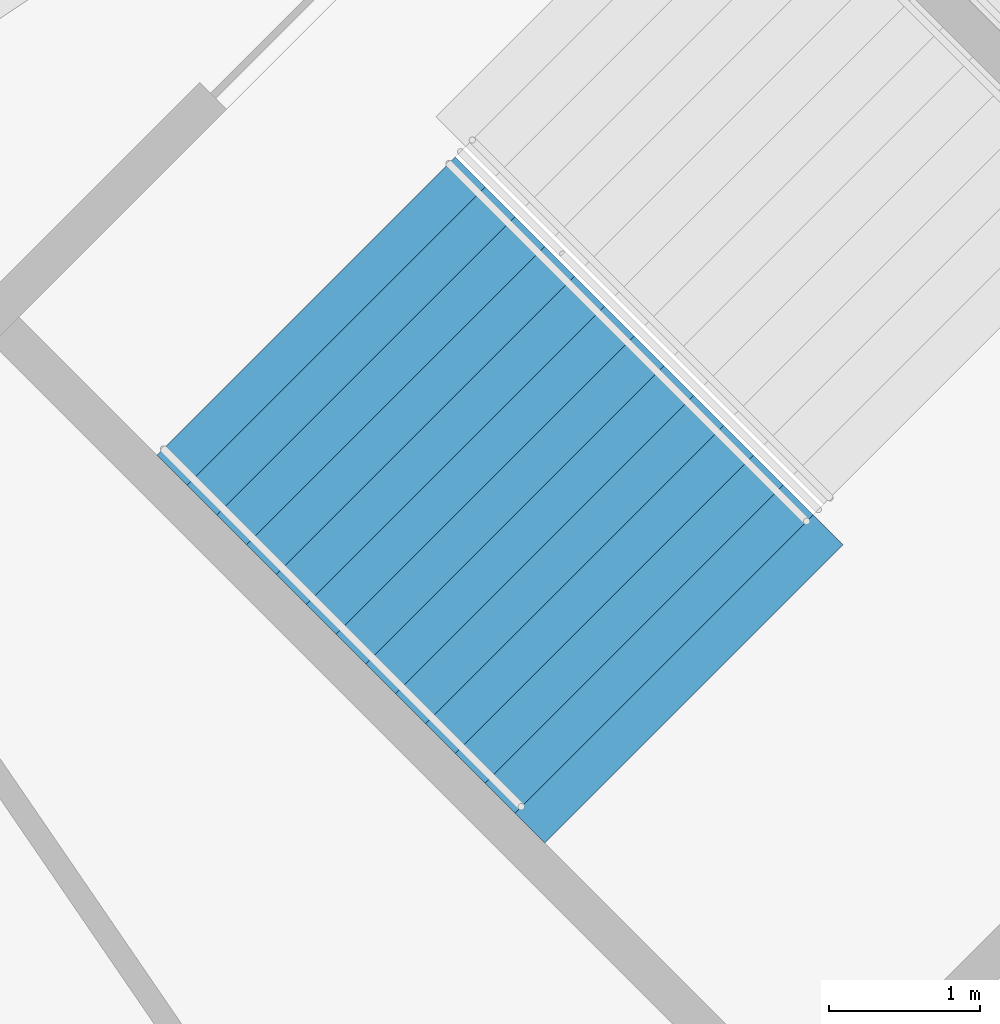
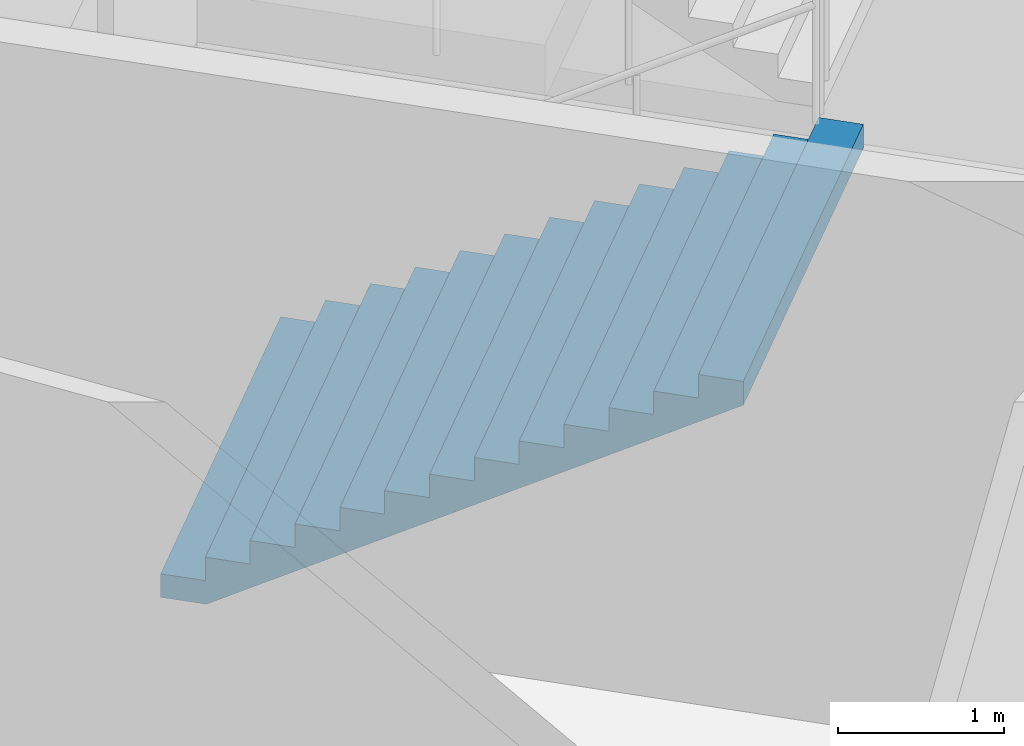
# One storey, part 137 of 199: 1 stair flight, 1 element without a shape of its own.
"""IFC4 building model written with IfcOpenShell, lengths in metres."""

from ifc_helpers import new_model, si_unit, direction, frame, origin, place, context, subcontext, project, spatial, faceted_brep, material, type_object, element, aggregate, save


model = new_model("IFC4")

# Units and contexts
model_context = context("Model", 3, precision=1e-05, world=origin(), true_north=direction((0.0, 1.0)))
body_context = subcontext(model_context, "Body", "Model", "MODEL_VIEW")
ifc_project = project(units=[si_unit("LENGTHUNIT", "METRE"), si_unit("AREAUNIT", "SQUARE_METRE"), si_unit("VOLUMEUNIT", "CUBIC_METRE"), si_unit("PLANEANGLEUNIT", "RADIAN"), si_unit("MASSUNIT", "GRAM", prefix="KILO")], contexts=[model_context])

# Site, building, storey
site_placement = place(None, origin())
site = spatial("IfcSite", under=ifc_project, at=site_placement, CompositionType="ELEMENT")
building_placement = place(site_placement, origin())
building = spatial("IfcBuilding", under=site, at=building_placement, Name="Ogive Plaza Stadium", CompositionType="ELEMENT")
storey_placement = place(building_placement, frame((0.0, 0.0, 4.5)))
storey = spatial("IfcBuildingStorey", under=building, at=storey_placement, Name="L01", CompositionType="ELEMENT", Elevation=4.5)

# Stair, stair flight
ifc_material_1 = material(Name="Concrete C40/50", Category="concrete")
stair_type = type_object("IfcStairType", Name="Exit stair", PredefinedType="STRAIGHT_RUN_STAIR", material=ifc_material_1)
stair_placement = place(storey_placement, origin())
stair = element("IfcStair", 1, at=stair_placement, inside=storey, type_object=stair_type, Name="Exit stair ST10A L01 to L02", PredefinedType="STRAIGHT_RUN_STAIR")
ifc_material_2 = material(Name="Concrete C40/50", Category="concrete")
stair_flight_type = type_object("IfcStairFlightType", Name="Exit stair flight", PredefinedType="STRAIGHT", material=ifc_material_2)
stair_flight_placement = place(storey_placement, frame((60.817138671875, -85.574951171875, 0.0), z_axis=(0.0, 0.0, 1.0), x_axis=(0.707106781187, -0.707106781187, 0.0)))
stair_flight = element("IfcStairFlight", 2, at=stair_flight_placement, type_object=stair_flight_type, Name="ST10A flight 1", NumberOfRisers=13, NumberOfTreads=12, PredefinedType="STRAIGHT", RiserHeight=0.173076923, TreadLength=0.28, context=body_context, shape_type="Brep", body=[
    faceted_brep([(0.28515625, -1.39990234375, 0.0), (3.639892578125, -1.39990234375, 2.07373046875), (3.639892578125, -1.39990234375, 2.25), (3.360107421875, -1.39990234375, 2.25), (3.360107421875, -1.39990234375, 2.076904296875), (3.080078125, -1.39990234375, 2.076904296875), (3.080078125, -1.39990234375, 1.90380859375), (2.800048828125, -1.39990234375, 1.90380859375), (2.800048828125, -1.39990234375, 1.730712890625), (2.52001953125, -1.39990234375, 1.730712890625), (2.52001953125, -1.39990234375, 1.5576171875), (2.239990234375, -1.39990234375, 1.5576171875), (2.239990234375, -1.39990234375, 1.384521484375), (1.9599609375, -1.39990234375, 1.384521484375), (1.9599609375, -1.39990234375, 1.21142578125), (1.679931640625, -1.39990234375, 1.21142578125), (1.679931640625, -1.39990234375, 1.03857421875), (1.39990234375, -1.39990234375, 1.03857421875), (1.39990234375, -1.39990234375, 0.865478515625), (1.1201171875, -1.39990234375, 0.865478515625), (1.1201171875, -1.39990234375, 0.6923828125), (0.840087890625, -1.39990234375, 0.6923828125), (0.840087890625, -1.39990234375, 0.519287109375), (0.56005859375, -1.39990234375, 0.519287109375), (0.56005859375, -1.39990234375, 0.34619140625), (0.280029296875, -1.39990234375, 0.34619140625), (0.280029296875, -1.39990234375, 0.173095703125), (0.0, -1.39990234375, 0.173095703125), (0.0, -1.39990234375, 0.0), (0.0, 1.39990234375, 0.0), (0.0, 1.39990234375, 0.173095703125), (0.280029296875, 1.39990234375, 0.173095703125), (0.280029296875, 1.39990234375, 0.34619140625), (0.56005859375, 1.39990234375, 0.34619140625), (0.56005859375, 1.39990234375, 0.519287109375), (0.840087890625, 1.39990234375, 0.519287109375), (0.840087890625, 1.39990234375, 0.6923828125), (1.1201171875, 1.39990234375, 0.6923828125), (1.1201171875, 1.39990234375, 0.865478515625), (1.39990234375, 1.39990234375, 0.865478515625), (1.39990234375, 1.39990234375, 1.03857421875), (1.679931640625, 1.39990234375, 1.03857421875), (1.679931640625, 1.39990234375, 1.21142578125), (1.9599609375, 1.39990234375, 1.21142578125), (1.9599609375, 1.39990234375, 1.384521484375), (2.239990234375, 1.39990234375, 1.384521484375), (2.239990234375, 1.39990234375, 1.5576171875), (2.52001953125, 1.39990234375, 1.5576171875), (2.52001953125, 1.39990234375, 1.730712890625), (2.800048828125, 1.39990234375, 1.730712890625), (2.800048828125, 1.39990234375, 1.90380859375), (3.080078125, 1.39990234375, 1.90380859375), (3.080078125, 1.39990234375, 2.076904296875), (3.360107421875, 1.39990234375, 2.076904296875), (3.360107421875, 1.39990234375, 2.25), (3.639892578125, 1.39990234375, 2.25), (3.639892578125, 1.39990234375, 2.07373046875), (0.28515625, 1.39990234375, 0.0), (0.28515625, -1.0888671875, 0.0), (3.639892578125, -1.0888671875, 2.07373046875), (0.28515625, -0.77783203125, 0.0), (3.639892578125, -0.77783203125, 2.07373046875), (0.28515625, -0.466796875, 0.0), (3.639892578125, -0.466796875, 2.07373046875), (0.28515625, -0.155517578125, 0.0), (3.639892578125, -0.155517578125, 2.07373046875), (0.28515625, 0.155517578125, 0.0), (3.639892578125, 0.155517578125, 2.07373046875), (0.28515625, 0.466796875, 0.0), (3.639892578125, 0.466796875, 2.07373046875), (0.28515625, 0.77783203125, 0.0), (3.639892578125, 0.77783203125, 2.07373046875), (0.28515625, 1.0888671875, 0.0), (3.639892578125, 1.0888671875, 2.07373046875), (3.639892578125, -1.0888671875, 2.25), (3.639892578125, -0.77783203125, 2.25), (3.639892578125, -0.466796875, 2.25), (3.639892578125, -0.155517578125, 2.25), (3.639892578125, 0.155517578125, 2.25), (3.639892578125, 0.466796875, 2.25), (3.639892578125, 0.77783203125, 2.25), (3.639892578125, 1.0888671875, 2.25), (3.360107421875, -1.0888671875, 2.25), (3.360107421875, -0.77783203125, 2.25), (3.360107421875, -0.466796875, 2.25), (3.360107421875, -0.155517578125, 2.25), (3.360107421875, 0.155517578125, 2.25), (3.360107421875, 0.466796875, 2.25), (3.360107421875, 0.77783203125, 2.25), (3.360107421875, 1.0888671875, 2.25), (3.360107421875, -1.0888671875, 2.076904296875), (3.360107421875, -0.77783203125, 2.076904296875), (3.360107421875, -0.466796875, 2.076904296875), (3.360107421875, -0.155517578125, 2.076904296875), (3.360107421875, 0.155517578125, 2.076904296875), (3.360107421875, 0.466796875, 2.076904296875), (3.360107421875, 0.77783203125, 2.076904296875), (3.360107421875, 1.0888671875, 2.076904296875), (3.080078125, -1.0888671875, 2.076904296875), (3.080078125, -0.77783203125, 2.076904296875), (3.080078125, -0.466796875, 2.076904296875), (3.080078125, -0.155517578125, 2.076904296875), (3.080078125, 0.155517578125, 2.076904296875), (3.080078125, 0.466796875, 2.076904296875), (3.080078125, 0.77783203125, 2.076904296875), (3.080078125, 1.0888671875, 2.076904296875), (3.080078125, -1.0888671875, 1.90380859375), (3.080078125, -0.77783203125, 1.90380859375), (3.080078125, -0.466796875, 1.90380859375), (3.080078125, -0.155517578125, 1.90380859375), (3.080078125, 0.155517578125, 1.90380859375), (3.080078125, 0.466796875, 1.90380859375), (3.080078125, 0.77783203125, 1.90380859375), (3.080078125, 1.0888671875, 1.90380859375), (2.800048828125, -1.0888671875, 1.90380859375), (2.800048828125, -0.77783203125, 1.90380859375), (2.800048828125, -0.466796875, 1.90380859375), (2.800048828125, -0.155517578125, 1.90380859375), (2.800048828125, 0.155517578125, 1.90380859375), (2.800048828125, 0.466796875, 1.90380859375), (2.800048828125, 0.77783203125, 1.90380859375), (2.800048828125, 1.0888671875, 1.90380859375), (2.800048828125, -1.0888671875, 1.730712890625), (2.800048828125, -0.77783203125, 1.730712890625), (2.800048828125, -0.466796875, 1.730712890625), (2.800048828125, -0.155517578125, 1.730712890625), (2.800048828125, 0.155517578125, 1.730712890625), (2.800048828125, 0.466796875, 1.730712890625), (2.800048828125, 0.77783203125, 1.730712890625), (2.800048828125, 1.0888671875, 1.730712890625), (2.52001953125, -1.0888671875, 1.730712890625), (2.52001953125, -0.77783203125, 1.730712890625), (2.52001953125, -0.466796875, 1.730712890625), (2.52001953125, -0.155517578125, 1.730712890625), (2.52001953125, 0.155517578125, 1.730712890625), (2.52001953125, 0.466796875, 1.730712890625), (2.52001953125, 0.77783203125, 1.730712890625), (2.52001953125, 1.0888671875, 1.730712890625), (2.52001953125, -1.0888671875, 1.5576171875), (2.52001953125, -0.77783203125, 1.5576171875), (2.52001953125, -0.466796875, 1.5576171875), (2.52001953125, -0.155517578125, 1.5576171875), (2.52001953125, 0.155517578125, 1.5576171875), (2.52001953125, 0.466796875, 1.5576171875), (2.52001953125, 0.77783203125, 1.5576171875), (2.52001953125, 1.0888671875, 1.5576171875), (2.239990234375, -1.0888671875, 1.5576171875), (2.239990234375, -0.77783203125, 1.5576171875), (2.239990234375, -0.466796875, 1.5576171875), (2.239990234375, -0.155517578125, 1.5576171875), (2.239990234375, 0.155517578125, 1.5576171875), (2.239990234375, 0.466796875, 1.5576171875), (2.239990234375, 0.77783203125, 1.5576171875), (2.239990234375, 1.0888671875, 1.5576171875), (2.239990234375, -1.0888671875, 1.384521484375), (2.239990234375, -0.77783203125, 1.384521484375), (2.239990234375, -0.466796875, 1.384521484375), (2.239990234375, -0.155517578125, 1.384521484375), (2.239990234375, 0.155517578125, 1.384521484375), (2.239990234375, 0.466796875, 1.384521484375), (2.239990234375, 0.77783203125, 1.384521484375), (2.239990234375, 1.0888671875, 1.384521484375), (1.9599609375, -1.0888671875, 1.384521484375), (1.9599609375, -0.77783203125, 1.384521484375), (1.9599609375, -0.466796875, 1.384521484375), (1.9599609375, -0.155517578125, 1.384521484375), (1.9599609375, 0.155517578125, 1.384521484375), (1.9599609375, 0.466796875, 1.384521484375), (1.9599609375, 0.77783203125, 1.384521484375), (1.9599609375, 1.0888671875, 1.384521484375), (1.9599609375, -1.0888671875, 1.21142578125), (1.9599609375, -0.77783203125, 1.21142578125), (1.9599609375, -0.466796875, 1.21142578125), (1.9599609375, -0.155517578125, 1.21142578125), (1.9599609375, 0.155517578125, 1.21142578125), (1.9599609375, 0.466796875, 1.21142578125), (1.9599609375, 0.77783203125, 1.21142578125), (1.9599609375, 1.0888671875, 1.21142578125), (1.679931640625, -1.0888671875, 1.21142578125), (1.679931640625, -0.77783203125, 1.21142578125), (1.679931640625, -0.466796875, 1.21142578125), (1.679931640625, -0.155517578125, 1.21142578125), (1.679931640625, 0.155517578125, 1.21142578125), (1.679931640625, 0.466796875, 1.21142578125), (1.679931640625, 0.77783203125, 1.21142578125), (1.679931640625, 1.0888671875, 1.21142578125), (1.679931640625, -1.0888671875, 1.03857421875), (1.679931640625, -0.77783203125, 1.03857421875), (1.679931640625, -0.466796875, 1.03857421875), (1.679931640625, -0.155517578125, 1.03857421875), (1.679931640625, 0.155517578125, 1.03857421875), (1.679931640625, 0.466796875, 1.03857421875), (1.679931640625, 0.77783203125, 1.03857421875), (1.679931640625, 1.0888671875, 1.03857421875), (1.39990234375, -1.0888671875, 1.03857421875), (1.39990234375, -0.77783203125, 1.03857421875), (1.39990234375, -0.466796875, 1.03857421875), (1.39990234375, -0.155517578125, 1.03857421875), (1.39990234375, 0.155517578125, 1.03857421875), (1.39990234375, 0.466796875, 1.03857421875), (1.39990234375, 0.77783203125, 1.03857421875), (1.39990234375, 1.0888671875, 1.03857421875), (1.39990234375, -1.0888671875, 0.865478515625), (1.39990234375, -0.77783203125, 0.865478515625), (1.39990234375, -0.466796875, 0.865478515625), (1.39990234375, -0.155517578125, 0.865478515625), (1.39990234375, 0.155517578125, 0.865478515625), (1.39990234375, 0.466796875, 0.865478515625), (1.39990234375, 0.77783203125, 0.865478515625), (1.39990234375, 1.0888671875, 0.865478515625), (1.1201171875, -1.0888671875, 0.865478515625), (1.1201171875, -0.77783203125, 0.865478515625), (1.1201171875, -0.466796875, 0.865478515625), (1.1201171875, -0.155517578125, 0.865478515625), (1.1201171875, 0.155517578125, 0.865478515625), (1.1201171875, 0.466796875, 0.865478515625), (1.1201171875, 0.77783203125, 0.865478515625), (1.1201171875, 1.0888671875, 0.865478515625), (1.1201171875, -1.0888671875, 0.6923828125), (1.1201171875, -0.77783203125, 0.6923828125), (1.1201171875, -0.466796875, 0.6923828125), (1.1201171875, -0.155517578125, 0.6923828125), (1.1201171875, 0.155517578125, 0.6923828125), (1.1201171875, 0.466796875, 0.6923828125), (1.1201171875, 0.77783203125, 0.6923828125), (1.1201171875, 1.0888671875, 0.6923828125), (0.840087890625, -1.0888671875, 0.6923828125), (0.840087890625, -0.77783203125, 0.6923828125), (0.840087890625, -0.466796875, 0.6923828125), (0.840087890625, -0.155517578125, 0.6923828125), (0.840087890625, 0.155517578125, 0.6923828125), (0.840087890625, 0.466796875, 0.6923828125), (0.840087890625, 0.77783203125, 0.6923828125), (0.840087890625, 1.0888671875, 0.6923828125), (0.840087890625, -1.0888671875, 0.519287109375), (0.840087890625, -0.77783203125, 0.519287109375), (0.840087890625, -0.466796875, 0.519287109375), (0.840087890625, -0.155517578125, 0.519287109375), (0.840087890625, 0.155517578125, 0.519287109375), (0.840087890625, 0.466796875, 0.519287109375), (0.840087890625, 0.77783203125, 0.519287109375), (0.840087890625, 1.0888671875, 0.519287109375), (0.56005859375, -1.0888671875, 0.519287109375), (0.56005859375, -0.77783203125, 0.519287109375), (0.56005859375, -0.466796875, 0.519287109375), (0.56005859375, -0.155517578125, 0.519287109375), (0.56005859375, 0.155517578125, 0.519287109375), (0.56005859375, 0.466796875, 0.519287109375), (0.56005859375, 0.77783203125, 0.519287109375), (0.56005859375, 1.0888671875, 0.519287109375), (0.56005859375, -1.0888671875, 0.34619140625), (0.56005859375, -0.77783203125, 0.34619140625), (0.56005859375, -0.466796875, 0.34619140625), (0.56005859375, -0.155517578125, 0.34619140625), (0.56005859375, 0.155517578125, 0.34619140625), (0.56005859375, 0.466796875, 0.34619140625), (0.56005859375, 0.77783203125, 0.34619140625), (0.56005859375, 1.0888671875, 0.34619140625), (0.280029296875, -1.0888671875, 0.34619140625), (0.280029296875, -0.77783203125, 0.34619140625), (0.280029296875, -0.466796875, 0.34619140625), (0.280029296875, -0.155517578125, 0.34619140625), (0.280029296875, 0.155517578125, 0.34619140625), (0.280029296875, 0.466796875, 0.34619140625), (0.280029296875, 0.77783203125, 0.34619140625), (0.280029296875, 1.0888671875, 0.34619140625), (0.280029296875, -1.0888671875, 0.173095703125), (0.280029296875, -0.77783203125, 0.173095703125), (0.280029296875, -0.466796875, 0.173095703125), (0.280029296875, -0.155517578125, 0.173095703125), (0.280029296875, 0.155517578125, 0.173095703125), (0.280029296875, 0.466796875, 0.173095703125), (0.280029296875, 0.77783203125, 0.173095703125), (0.280029296875, 1.0888671875, 0.173095703125), (0.0, -1.0888671875, 0.173095703125), (0.0, -0.77783203125, 0.173095703125), (0.0, -0.466796875, 0.173095703125), (0.0, -0.155517578125, 0.173095703125), (0.0, 0.155517578125, 0.173095703125), (0.0, 0.466796875, 0.173095703125), (0.0, 0.77783203125, 0.173095703125), (0.0, 1.0888671875, 0.173095703125), (0.0, -1.0888671875, 0.0), (0.0, -0.77783203125, 0.0), (0.0, -0.466796875, 0.0), (0.0, -0.155517578125, 0.0), (0.0, 0.155517578125, 0.0), (0.0, 0.466796875, 0.0), (0.0, 0.77783203125, 0.0), (0.0, 1.0888671875, 0.0)], [[[0, 1, 2, 3, 4, 5, 6, 7, 8, 9, 10, 11, 12, 13, 14, 15, 16, 17, 18, 19, 20, 21, 22, 23, 24, 25, 26, 27, 28]], [[29, 30, 31, 32, 33, 34, 35, 36, 37, 38, 39, 40, 41, 42, 43, 44, 45, 46, 47, 48, 49, 50, 51, 52, 53, 54, 55, 56, 57]], [[0, 58, 59, 1]], [[58, 60, 61, 59]], [[60, 62, 63, 61]], [[62, 64, 65, 63]], [[64, 66, 67, 65]], [[66, 68, 69, 67]], [[68, 70, 71, 69]], [[70, 72, 73, 71]], [[72, 57, 56, 73]], [[1, 59, 74, 2]], [[59, 61, 75, 74]], [[61, 63, 76, 75]], [[63, 65, 77, 76]], [[65, 67, 78, 77]], [[67, 69, 79, 78]], [[69, 71, 80, 79]], [[71, 73, 81, 80]], [[73, 56, 55, 81]], [[2, 74, 82, 3]], [[74, 75, 83, 82]], [[75, 76, 84, 83]], [[76, 77, 85, 84]], [[77, 78, 86, 85]], [[78, 79, 87, 86]], [[79, 80, 88, 87]], [[80, 81, 89, 88]], [[81, 55, 54, 89]], [[3, 82, 90, 4]], [[82, 83, 91, 90]], [[83, 84, 92, 91]], [[84, 85, 93, 92]], [[85, 86, 94, 93]], [[86, 87, 95, 94]], [[87, 88, 96, 95]], [[88, 89, 97, 96]], [[89, 54, 53, 97]], [[4, 90, 98, 5]], [[90, 91, 99, 98]], [[91, 92, 100, 99]], [[92, 93, 101, 100]], [[93, 94, 102, 101]], [[94, 95, 103, 102]], [[95, 96, 104, 103]], [[96, 97, 105, 104]], [[97, 53, 52, 105]], [[5, 98, 106, 6]], [[98, 99, 107, 106]], [[99, 100, 108, 107]], [[100, 101, 109, 108]], [[101, 102, 110, 109]], [[102, 103, 111, 110]], [[103, 104, 112, 111]], [[104, 105, 113, 112]], [[105, 52, 51, 113]], [[6, 106, 114, 7]], [[106, 107, 115, 114]], [[107, 108, 116, 115]], [[108, 109, 117, 116]], [[109, 110, 118, 117]], [[110, 111, 119, 118]], [[111, 112, 120, 119]], [[112, 113, 121, 120]], [[113, 51, 50, 121]], [[7, 114, 122, 8]], [[114, 115, 123, 122]], [[115, 116, 124, 123]], [[116, 117, 125, 124]], [[117, 118, 126, 125]], [[118, 119, 127, 126]], [[119, 120, 128, 127]], [[120, 121, 129, 128]], [[121, 50, 49, 129]], [[8, 122, 130, 9]], [[122, 123, 131, 130]], [[123, 124, 132, 131]], [[124, 125, 133, 132]], [[125, 126, 134, 133]], [[126, 127, 135, 134]], [[127, 128, 136, 135]], [[128, 129, 137, 136]], [[129, 49, 48, 137]], [[9, 130, 138, 10]], [[130, 131, 139, 138]], [[131, 132, 140, 139]], [[132, 133, 141, 140]], [[133, 134, 142, 141]], [[134, 135, 143, 142]], [[135, 136, 144, 143]], [[136, 137, 145, 144]], [[137, 48, 47, 145]], [[10, 138, 146, 11]], [[138, 139, 147, 146]], [[139, 140, 148, 147]], [[140, 141, 149, 148]], [[141, 142, 150, 149]], [[142, 143, 151, 150]], [[143, 144, 152, 151]], [[144, 145, 153, 152]], [[145, 47, 46, 153]], [[11, 146, 154, 12]], [[146, 147, 155, 154]], [[147, 148, 156, 155]], [[148, 149, 157, 156]], [[149, 150, 158, 157]], [[150, 151, 159, 158]], [[151, 152, 160, 159]], [[152, 153, 161, 160]], [[153, 46, 45, 161]], [[12, 154, 162, 13]], [[154, 155, 163, 162]], [[155, 156, 164, 163]], [[156, 157, 165, 164]], [[157, 158, 166, 165]], [[158, 159, 167, 166]], [[159, 160, 168, 167]], [[160, 161, 169, 168]], [[161, 45, 44, 169]], [[13, 162, 170, 14]], [[162, 163, 171, 170]], [[163, 164, 172, 171]], [[164, 165, 173, 172]], [[165, 166, 174, 173]], [[166, 167, 175, 174]], [[167, 168, 176, 175]], [[168, 169, 177, 176]], [[169, 44, 43, 177]], [[14, 170, 178, 15]], [[170, 171, 179, 178]], [[171, 172, 180, 179]], [[172, 173, 181, 180]], [[173, 174, 182, 181]], [[174, 175, 183, 182]], [[175, 176, 184, 183]], [[176, 177, 185, 184]], [[177, 43, 42, 185]], [[15, 178, 186, 16]], [[178, 179, 187, 186]], [[179, 180, 188, 187]], [[180, 181, 189, 188]], [[181, 182, 190, 189]], [[182, 183, 191, 190]], [[183, 184, 192, 191]], [[184, 185, 193, 192]], [[185, 42, 41, 193]], [[16, 186, 194, 17]], [[186, 187, 195, 194]], [[187, 188, 196, 195]], [[188, 189, 197, 196]], [[189, 190, 198, 197]], [[190, 191, 199, 198]], [[191, 192, 200, 199]], [[192, 193, 201, 200]], [[193, 41, 40, 201]], [[17, 194, 202, 18]], [[194, 195, 203, 202]], [[195, 196, 204, 203]], [[196, 197, 205, 204]], [[197, 198, 206, 205]], [[198, 199, 207, 206]], [[199, 200, 208, 207]], [[200, 201, 209, 208]], [[201, 40, 39, 209]], [[18, 202, 210, 19]], [[202, 203, 211, 210]], [[203, 204, 212, 211]], [[204, 205, 213, 212]], [[205, 206, 214, 213]], [[206, 207, 215, 214]], [[207, 208, 216, 215]], [[208, 209, 217, 216]], [[209, 39, 38, 217]], [[19, 210, 218, 20]], [[210, 211, 219, 218]], [[211, 212, 220, 219]], [[212, 213, 221, 220]], [[213, 214, 222, 221]], [[214, 215, 223, 222]], [[215, 216, 224, 223]], [[216, 217, 225, 224]], [[217, 38, 37, 225]], [[20, 218, 226, 21]], [[218, 219, 227, 226]], [[219, 220, 228, 227]], [[220, 221, 229, 228]], [[221, 222, 230, 229]], [[222, 223, 231, 230]], [[223, 224, 232, 231]], [[224, 225, 233, 232]], [[225, 37, 36, 233]], [[21, 226, 234, 22]], [[226, 227, 235, 234]], [[227, 228, 236, 235]], [[228, 229, 237, 236]], [[229, 230, 238, 237]], [[230, 231, 239, 238]], [[231, 232, 240, 239]], [[232, 233, 241, 240]], [[233, 36, 35, 241]], [[22, 234, 242, 23]], [[234, 235, 243, 242]], [[235, 236, 244, 243]], [[236, 237, 245, 244]], [[237, 238, 246, 245]], [[238, 239, 247, 246]], [[239, 240, 248, 247]], [[240, 241, 249, 248]], [[241, 35, 34, 249]], [[23, 242, 250, 24]], [[242, 243, 251, 250]], [[243, 244, 252, 251]], [[244, 245, 253, 252]], [[245, 246, 254, 253]], [[246, 247, 255, 254]], [[247, 248, 256, 255]], [[248, 249, 257, 256]], [[249, 34, 33, 257]], [[24, 250, 258, 25]], [[250, 251, 259, 258]], [[251, 252, 260, 259]], [[252, 253, 261, 260]], [[253, 254, 262, 261]], [[254, 255, 263, 262]], [[255, 256, 264, 263]], [[256, 257, 265, 264]], [[257, 33, 32, 265]], [[25, 258, 266, 26]], [[258, 259, 267, 266]], [[259, 260, 268, 267]], [[260, 261, 269, 268]], [[261, 262, 270, 269]], [[262, 263, 271, 270]], [[263, 264, 272, 271]], [[264, 265, 273, 272]], [[265, 32, 31, 273]], [[26, 266, 274, 27]], [[266, 267, 275, 274]], [[267, 268, 276, 275]], [[268, 269, 277, 276]], [[269, 270, 278, 277]], [[270, 271, 279, 278]], [[271, 272, 280, 279]], [[272, 273, 281, 280]], [[273, 31, 30, 281]], [[27, 274, 282, 28]], [[274, 275, 283, 282]], [[275, 276, 284, 283]], [[276, 277, 285, 284]], [[277, 278, 286, 285]], [[278, 279, 287, 286]], [[279, 280, 288, 287]], [[280, 281, 289, 288]], [[281, 30, 29, 289]], [[28, 282, 58, 0]], [[282, 283, 60, 58]], [[283, 284, 62, 60]], [[284, 285, 64, 62]], [[285, 286, 66, 64]], [[286, 287, 68, 66]], [[287, 288, 70, 68]], [[288, 289, 72, 70]], [[289, 29, 57, 72]]]),
])
aggregate(stair, [stair_flight])

save(model, "model.ifc")
